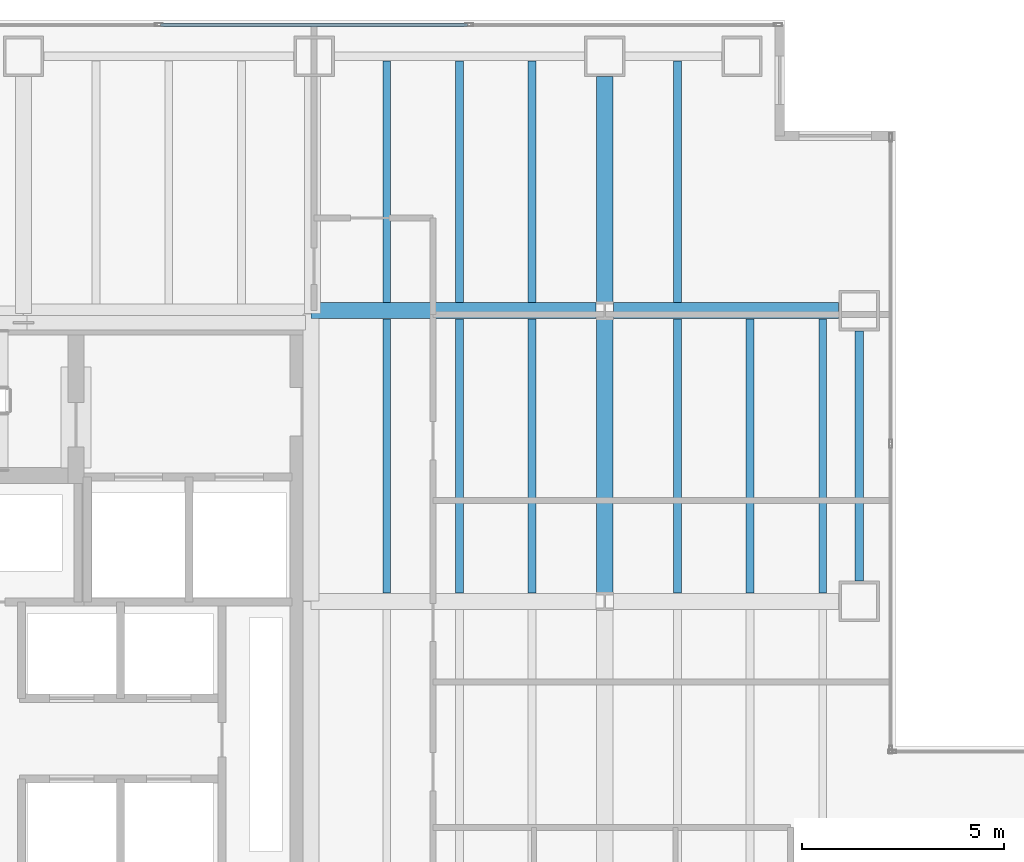
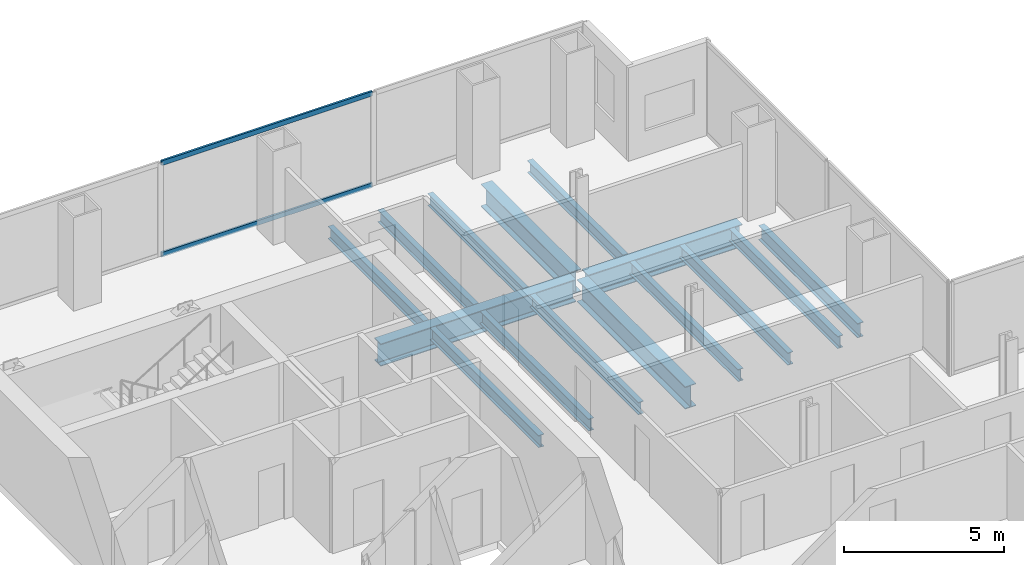
# One storey, part 17 of 23: 15 beams, 2 members, 1 element without a shape of its own.
"""IFC4 building model written with IfcOpenShell, lengths in metres."""

from ifc_helpers import new_model, si_unit, direction, frame, origin, origin_2d, place, context, subcontext, project, spatial, hollow_rectangle, i_section, extrude, material, material_profile, profile_set, type_object, element, aggregate, save


model = new_model("IFC4")

# Units and contexts
model_context = context("Model", 3, precision=1e-05, world=origin(), true_north=direction((0.0, 1.0)))
body_context = subcontext(model_context, "Body", "Model", "MODEL_VIEW")
ifc_project = project(units=[si_unit("LENGTHUNIT", "METRE"), si_unit("AREAUNIT", "SQUARE_METRE"), si_unit("VOLUMEUNIT", "CUBIC_METRE"), si_unit("PLANEANGLEUNIT", "RADIAN"), si_unit("MASSUNIT", "GRAM", prefix="KILO")], contexts=[model_context])

# Site, building, storey
site_placement = place(None, origin())
site = spatial("IfcSite", under=ifc_project, at=site_placement, CompositionType="ELEMENT")
building_placement = place(site_placement, origin())
building = spatial("IfcBuilding", under=site, at=building_placement, Name="Cobrela Telecom Tower", CompositionType="ELEMENT")
storey_placement = place(building_placement, frame((0.0, 0.0, 73.5)))
storey = spatial("IfcBuildingStorey", under=building, at=storey_placement, Name="L18", CompositionType="ELEMENT", Elevation=73.5)

# Beams
ifc_material_1 = material(Name="Steel ASTM A992 Grade 50", Category="steel")
ifc_material_profile_1 = material_profile(ifc_material_1, i_section(OverallWidth=0.39892578125, OverallDepth=0.85595703125, WebThickness=0.018310546875, FlangeThickness=0.029296875, FilletRadius=0.02001953125, at=origin_2d()), Name="W33X201")
ifc_profile_set_1 = profile_set([ifc_material_profile_1], Name="Steel ASTM A992 Grade 50")
beam_type_1 = type_object("IfcBeamType", Name="BM-GIRD-03", PredefinedType="USERDEFINED", material=ifc_profile_set_1)
beam_1_placement = place(storey_placement, frame((14.324951171875, 36.0, -0.7080078125), z_axis=(1.0, 0.0, 0.0), x_axis=(0.0, 1.0, 0.0)))
element("IfcBeam", 1, at=beam_1_placement, inside=storey, type_object=beam_type_1, Name="L18 Primary Girder X27", ObjectType="GIRDER", PredefinedType="USERDEFINED", context=body_context, shape_type="SweptSolid", body=[
    extrude(i_section(OverallWidth=0.39892578125, OverallDepth=0.85595703125, WebThickness=0.018310546875, FlangeThickness=0.029296875, FilletRadius=0.02001953125, at=origin_2d()), origin(), (0.0, 0.0, 1.0), 7.05908203125),
])
beam_2_placement = place(storey_placement, frame((21.81591796875, 36.0, -0.7080078125), z_axis=(1.0, 0.0, 0.0), x_axis=(0.0, 1.0, 0.0)))
element("IfcBeam", 2, at=beam_2_placement, inside=storey, type_object=beam_type_1, Name="L18 Primary Girder X28", ObjectType="GIRDER", PredefinedType="USERDEFINED", context=body_context, shape_type="SweptSolid", body=[
    extrude(i_section(OverallWidth=0.39892578125, OverallDepth=0.85595703125, WebThickness=0.018310546875, FlangeThickness=0.029296875, FilletRadius=0.02001953125, at=origin_2d()), origin(), (0.0, 0.0, 1.0), 5.5791015625),
])
beam_3_placement = place(storey_placement, frame((21.60009765625, 29.01611328125, -0.7080078125), z_axis=(0.0, 1.0, 0.0), x_axis=(-1.0, 0.0, 0.0)))
element("IfcBeam", 3, at=beam_3_placement, inside=storey, type_object=beam_type_1, Name="L18 Primary Girder Y44", ObjectType="GIRDER", PredefinedType="USERDEFINED", context=body_context, shape_type="SweptSolid", body=[
    extrude(i_section(OverallWidth=0.39892578125, OverallDepth=0.85595703125, WebThickness=0.018310546875, FlangeThickness=0.029296875, FilletRadius=0.02001953125, at=origin_2d()), origin(), (0.0, 0.0, 1.0), 6.767822265625),
])
beam_4_placement = place(storey_placement, frame((21.60009765625, 36.216064453125, -0.7080078125), z_axis=(0.0, 1.0, 0.0), x_axis=(-1.0, 0.0, 0.0)))
element("IfcBeam", 4, at=beam_4_placement, inside=storey, type_object=beam_type_1, Name="L18 Primary Girder Y45", ObjectType="GIRDER", PredefinedType="USERDEFINED", context=body_context, shape_type="SweptSolid", body=[
    extrude(i_section(OverallWidth=0.39892578125, OverallDepth=0.85595703125, WebThickness=0.018310546875, FlangeThickness=0.029296875, FilletRadius=0.02001953125, at=origin_2d()), origin(), (0.0, 0.0, 1.0), 5.578857421875),
])
ifc_material_profile_2 = material_profile(ifc_material_1, i_section(OverallWidth=0.193115234375, OverallDepth=0.467041015625, WebThickness=0.011474609375, FlangeThickness=0.01904296875, FilletRadius=0.012939453125, at=origin_2d()), Name="W18X65")
ifc_profile_set_2 = profile_set([ifc_material_profile_2], Name="Steel ASTM A992 Grade 50")
beam_type_2 = type_object("IfcBeamType", Name="BM-JOIST-03", PredefinedType="JOIST", material=ifc_profile_set_2)
beam_5_placement = place(storey_placement, frame((16.199951171875, 29.00439453125, -0.513427734375), z_axis=(0.0, 1.0, 0.0), x_axis=(-1.0, 0.0, 0.0)))
element("IfcBeam", 5, at=beam_5_placement, inside=storey, type_object=beam_type_2, Name="L18 Secondary Composite Floor Beam J11", PredefinedType="JOIST", context=body_context, shape_type="SweptSolid", body=[
    extrude(i_section(OverallWidth=0.193115234375, OverallDepth=0.467041015625, WebThickness=0.011474609375, FlangeThickness=0.01904296875, FilletRadius=0.012939453125, at=origin_2d()), origin(), (0.0, 0.0, 1.0), 6.791015625),
])
beam_6_placement = place(storey_placement, frame((16.199951171875, 36.20458984375, -0.513427734375), z_axis=(0.0, 1.0, 0.0), x_axis=(-1.0, 0.0, 0.0)))
element("IfcBeam", 6, at=beam_6_placement, inside=storey, type_object=beam_type_2, Name="L18 Secondary Composite Floor Beam J12", PredefinedType="JOIST", context=body_context, shape_type="SweptSolid", body=[
    extrude(i_section(OverallWidth=0.193115234375, OverallDepth=0.467041015625, WebThickness=0.011474609375, FlangeThickness=0.01904296875, FilletRadius=0.012939453125, at=origin_2d()), origin(), (0.0, 0.0, 1.0), 5.98388671875),
])
beam_7_placement = place(storey_placement, frame((18.0, 29.00439453125, -0.513427734375), z_axis=(0.0, 1.0, 0.0), x_axis=(-1.0, 0.0, 0.0)))
element("IfcBeam", 7, at=beam_7_placement, inside=storey, type_object=beam_type_2, Name="L18 Secondary Composite Floor Beam J17", PredefinedType="JOIST", context=body_context, shape_type="SweptSolid", body=[
    extrude(i_section(OverallWidth=0.193115234375, OverallDepth=0.467041015625, WebThickness=0.011474609375, FlangeThickness=0.01904296875, FilletRadius=0.012939453125, at=origin_2d()), origin(), (0.0, 0.0, 1.0), 6.791015625),
])
beam_8_placement = place(storey_placement, frame((18.0, 36.20458984375, -0.513427734375), z_axis=(0.0, 1.0, 0.0), x_axis=(-1.0, 0.0, 0.0)))
element("IfcBeam", 8, at=beam_8_placement, inside=storey, type_object=beam_type_2, Name="L18 Secondary Composite Floor Beam J18", PredefinedType="JOIST", context=body_context, shape_type="SweptSolid", body=[
    extrude(i_section(OverallWidth=0.193115234375, OverallDepth=0.467041015625, WebThickness=0.011474609375, FlangeThickness=0.01904296875, FilletRadius=0.012939453125, at=origin_2d()), origin(), (0.0, 0.0, 1.0), 5.98388671875),
])
beam_9_placement = place(storey_placement, frame((19.800048828125, 29.00439453125, -0.513427734375), z_axis=(0.0, 1.0, 0.0), x_axis=(-1.0, 0.0, 0.0)))
element("IfcBeam", 9, at=beam_9_placement, inside=storey, type_object=beam_type_2, Name="L18 Secondary Composite Floor Beam J23", PredefinedType="JOIST", context=body_context, shape_type="SweptSolid", body=[
    extrude(i_section(OverallWidth=0.193115234375, OverallDepth=0.467041015625, WebThickness=0.011474609375, FlangeThickness=0.01904296875, FilletRadius=0.012939453125, at=origin_2d()), origin(), (0.0, 0.0, 1.0), 6.791015625),
])
beam_10_placement = place(storey_placement, frame((19.800048828125, 36.20458984375, -0.513427734375), z_axis=(0.0, 1.0, 0.0), x_axis=(-1.0, 0.0, 0.0)))
element("IfcBeam", 10, at=beam_10_placement, inside=storey, type_object=beam_type_2, Name="L18 Secondary Composite Floor Beam J24", PredefinedType="JOIST", context=body_context, shape_type="SweptSolid", body=[
    extrude(i_section(OverallWidth=0.193115234375, OverallDepth=0.467041015625, WebThickness=0.011474609375, FlangeThickness=0.01904296875, FilletRadius=0.012939453125, at=origin_2d()), origin(), (0.0, 0.0, 1.0), 5.98388671875),
])
beam_11_placement = place(storey_placement, frame((23.39990234375, 29.00439453125, -0.513427734375), z_axis=(0.0, 1.0, 0.0), x_axis=(-1.0, 0.0, 0.0)))
element("IfcBeam", 11, at=beam_11_placement, inside=storey, type_object=beam_type_2, Name="L18 Secondary Composite Floor Beam J29", PredefinedType="JOIST", context=body_context, shape_type="SweptSolid", body=[
    extrude(i_section(OverallWidth=0.193115234375, OverallDepth=0.467041015625, WebThickness=0.011474609375, FlangeThickness=0.01904296875, FilletRadius=0.012939453125, at=origin_2d()), origin(), (0.0, 0.0, 1.0), 6.791015625),
])
beam_12_placement = place(storey_placement, frame((23.39990234375, 36.20458984375, -0.513427734375), z_axis=(0.0, 1.0, 0.0), x_axis=(-1.0, 0.0, 0.0)))
element("IfcBeam", 12, at=beam_12_placement, inside=storey, type_object=beam_type_2, Name="L18 Secondary Composite Floor Beam J30", PredefinedType="JOIST", context=body_context, shape_type="SweptSolid", body=[
    extrude(i_section(OverallWidth=0.193115234375, OverallDepth=0.467041015625, WebThickness=0.011474609375, FlangeThickness=0.01904296875, FilletRadius=0.012939453125, at=origin_2d()), origin(), (0.0, 0.0, 1.0), 5.98388671875),
])
for number, where, z_axis, x_axis, name in (
    (13, (25.199951171875, 29.00439453125, -0.513427734375), (0.0, 1.0, 0.0), (-1.0, 0.0, 0.0), "L18 Secondary Composite Floor Beam J35"),
    (14, (27.0, 29.00439453125, -0.513427734375), (0.0, 1.0, 0.0), (-1.0, 0.0, 0.0), "L18 Secondary Composite Floor Beam J40"),
):
    element("IfcBeam", number, at=place(storey_placement, frame(where, z_axis=z_axis, x_axis=x_axis)), inside=storey, type_object=beam_type_2, Name=name, PredefinedType="JOIST", context=body_context, shape_type="SweptSolid", body=[
        extrude(i_section(OverallWidth=0.193115234375, OverallDepth=0.467041015625, WebThickness=0.011474609375, FlangeThickness=0.01904296875, FilletRadius=0.012939453125, at=origin_2d()), origin(), (0.0, 0.0, 1.0), 6.791015625),
    ])
ifc_material_profile_3 = material_profile(ifc_material_1, i_section(OverallWidth=0.212890625, OverallDepth=0.549072265625, WebThickness=0.0146484375, FlangeThickness=0.023681640625, FilletRadius=0.013916015625, at=origin_2d()), Name="W21X93")
ifc_profile_set_3 = profile_set([ifc_material_profile_3], Name="Steel ASTM A992 Grade 50")
beam_type_3 = type_object("IfcBeamType", Name="BM-SPAND-03", PredefinedType="SPANDREL", material=ifc_profile_set_3)
beam_13_placement = place(storey_placement, frame((27.89990234375, 29.304931640625, -0.554443359375), z_axis=(0.0, 1.0, 0.0), x_axis=(-1.0, 0.0, 0.0)))
element("IfcBeam", 15, at=beam_13_placement, inside=storey, type_object=beam_type_3, Name="L18 Perimeter Spandrel Y46", PredefinedType="SPANDREL", context=body_context, shape_type="SweptSolid", body=[
    extrude(i_section(OverallWidth=0.212890625, OverallDepth=0.549072265625, WebThickness=0.0146484375, FlangeThickness=0.023681640625, FilletRadius=0.013916015625, at=origin_2d()), origin(), (0.0, 0.0, 1.0), 6.190185546875),
])

# Curtain wall, members
ifc_material_2 = material(Name="Anodized Bronze Aluminium 6063-T6", Category="aluminium")
curtain_wall_type = type_object("IfcCurtainWallType", Name="CW-SYS-DATA", PredefinedType="USERDEFINED", material=ifc_material_2)
curtain_wall_placement = place(storey_placement, origin())
curtain_wall = element("IfcCurtainWall", 16, at=curtain_wall_placement, inside=storey, type_object=curtain_wall_type, Name="L18 Unitised Bronze Curtain Wall 07", ObjectType="UNITISED CURTAIN WALL", PredefinedType="USERDEFINED")
ifc_material_profile_4 = material_profile(ifc_material_2, hollow_rectangle(XDim=0.074951171875, YDim=0.179931640625, WallThickness=0.00390625, at=origin_2d()), Name="ALU 75x180x4")
ifc_profile_set_4 = profile_set([ifc_material_profile_4], Name="Anodized Bronze Aluminium 6063-T6")
member_type = type_object("IfcMemberType", Name="CW-SYS-DATA-TRN", PredefinedType="USERDEFINED", material=ifc_profile_set_4)
member_1_placement = place(storey_placement, frame((10.5966796875, 43.080078125, 0.03759765625), z_axis=(1.0, 0.0, 0.0), x_axis=(0.0, 1.0, 0.0)))
member_1 = element("IfcMember", 17, at=member_1_placement, type_object=member_type, Name="CW-DATA transom 2.1", ObjectType="TRANSOM", PredefinedType="USERDEFINED", context=body_context, shape_type="SweptSolid", body=[
    extrude(hollow_rectangle(XDim=0.074951171875, YDim=0.179931640625, WallThickness=0.00390625, at=origin_2d()), origin(), (0.0, 0.0, 1.0), 7.606689453125),
])
member_2_placement = place(storey_placement, frame((10.5966796875, 43.080078125, 3.532470703125), z_axis=(1.0, 0.0, 0.0), x_axis=(0.0, 1.0, 0.0)))
member_2 = element("IfcMember", 18, at=member_2_placement, type_object=member_type, Name="CW-DATA transom 2.2", ObjectType="TRANSOM", PredefinedType="USERDEFINED", context=body_context, shape_type="SweptSolid", body=[
    extrude(hollow_rectangle(XDim=0.074951171875, YDim=0.179931640625, WallThickness=0.00390625, at=origin_2d()), origin(), (0.0, 0.0, 1.0), 7.606689453125),
])
aggregate(curtain_wall, [member_1, member_2])

save(model, "model.ifc")
